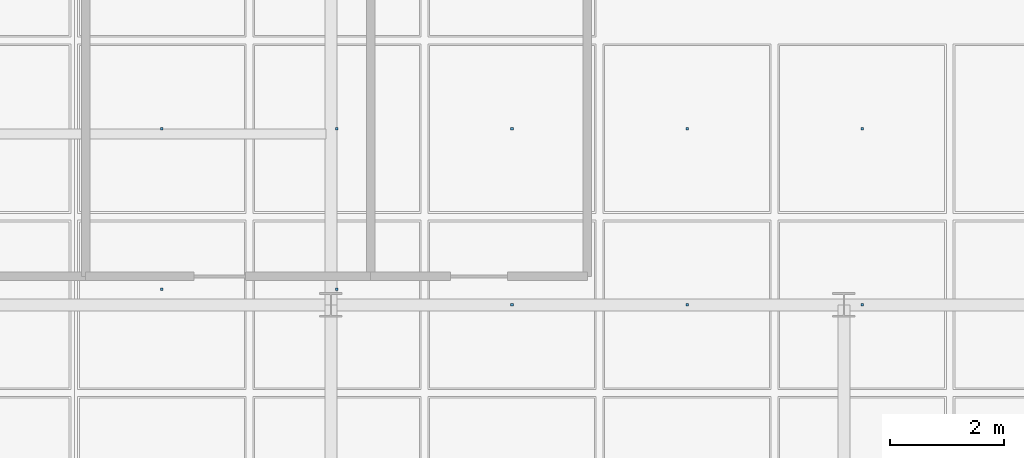
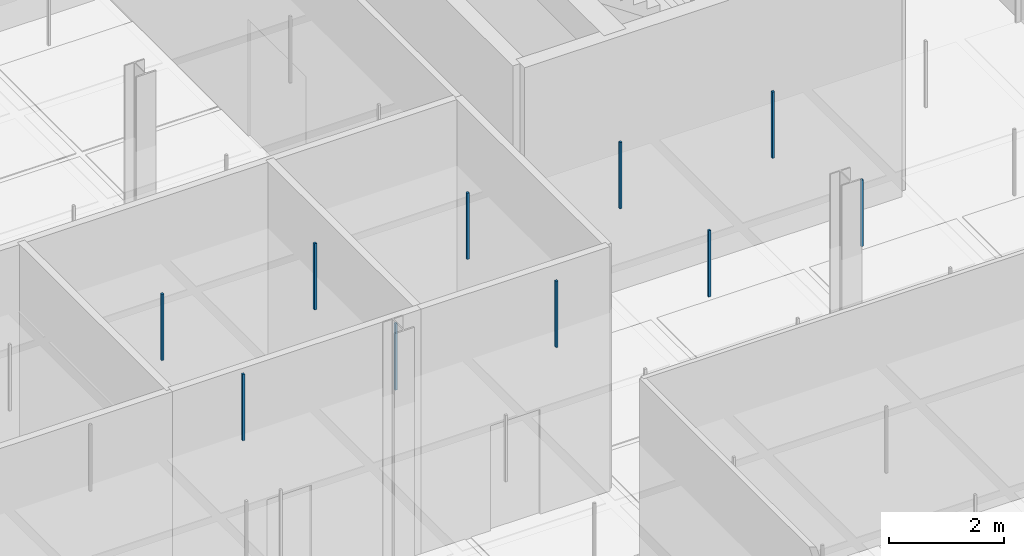
# One storey, part 113 of 180: 10 discrete accessories.
"""IFC4 building model written with IfcOpenShell, lengths in metres."""

from ifc_helpers import new_model, si_unit, direction, frame, origin, origin_2d, place, context, subcontext, project, spatial, rectangle, extrude, material, type_object, element, save


model = new_model("IFC4")

# Units and contexts
model_context = context("Model", 3, precision=1e-05, world=origin(), true_north=direction((0.0, 1.0)))
body_context = subcontext(model_context, "Body", "Model", "MODEL_VIEW")
ifc_project = project(units=[si_unit("LENGTHUNIT", "METRE"), si_unit("AREAUNIT", "SQUARE_METRE"), si_unit("VOLUMEUNIT", "CUBIC_METRE"), si_unit("PLANEANGLEUNIT", "RADIAN"), si_unit("MASSUNIT", "GRAM", prefix="KILO"), si_unit("THERMODYNAMICTEMPERATUREUNIT", "KELVIN"), si_unit("POWERUNIT", "WATT")], contexts=[model_context])

# Site, building, storey
site_placement = place(None, origin())
site = spatial("IfcSite", under=ifc_project, at=site_placement, CompositionType="ELEMENT")
building_placement = place(site_placement, origin())
building = spatial("IfcBuilding", under=site, at=building_placement, Name="Tallowbark Science Centre", CompositionType="ELEMENT")
storey_placement = place(building_placement, origin())
storey = spatial("IfcBuildingStorey", under=building, at=storey_placement, Name="L00", CompositionType="ELEMENT", Elevation=0.0)

# Discrete accessories
ifc_material = material(Name="Galvanised Steel Grade C350L0 (350 MPa)", Category="steel")
discrete_accessory_type = type_object("IfcDiscreteAccessoryType", Name="ACC-CLG-HNG", PredefinedType="BRACKET", material=ifc_material)
for number, where, z_axis, x_axis, name in (
    (1, (82.53564453125, 22.777587890625, 3.8095703125), (0.0, 0.0, 1.0), (1.0, 0.0, 0.0), "Ceiling Hanger Bracket L00-145"),
    (2, (82.53564453125, 25.5908203125, 3.8095703125), (0.0, 0.0, 1.0), (1.0, 0.0, 0.0), "Ceiling Hanger Bracket L00-146"),
    (3, (85.607177734375, 22.777587890625, 3.8095703125), (0.0, 0.0, 1.0), (1.0, 0.0, 0.0), "Ceiling Hanger Bracket L00-156"),
    (4, (85.607177734375, 25.5908203125, 3.8095703125), (0.0, 0.0, 1.0), (1.0, 0.0, 0.0), "Ceiling Hanger Bracket L00-157"),
    (5, (88.6787109375, 22.5, 3.8095703125), (0.0, 0.0, 1.0), (1.0, 0.0, 0.0), "Ceiling Hanger Bracket L00-167"),
    (6, (88.6787109375, 25.5908203125, 3.8095703125), (0.0, 0.0, 1.0), (1.0, 0.0, 0.0), "Ceiling Hanger Bracket L00-168"),
    (7, (91.75, 22.5, 3.8095703125), (0.0, 0.0, 1.0), (1.0, 0.0, 0.0), "Ceiling Hanger Bracket L00-178"),
    (8, (91.75, 25.5908203125, 3.8095703125), (0.0, 0.0, 1.0), (1.0, 0.0, 0.0), "Ceiling Hanger Bracket L00-179"),
    (9, (94.8212890625, 22.5, 3.8095703125), (0.0, 0.0, 1.0), (1.0, 0.0, 0.0), "Ceiling Hanger Bracket L00-185"),
    (10, (94.8212890625, 25.5908203125, 3.8095703125), (0.0, 0.0, 1.0), (1.0, 0.0, 0.0), "Ceiling Hanger Bracket L00-186"),
):
    element("IfcDiscreteAccessory", number, at=place(storey_placement, frame(where, z_axis=z_axis, x_axis=x_axis)), inside=storey, type_object=discrete_accessory_type, Name=name, PredefinedType="BRACKET", context=body_context, shape_type="SweptSolid", body=[
        extrude(rectangle(XDim=0.044921875, YDim=0.044921875, at=origin_2d()), origin(), (0.0, 0.0, 1.0), 1.41357421875),
    ])

save(model, "model.ifc")
